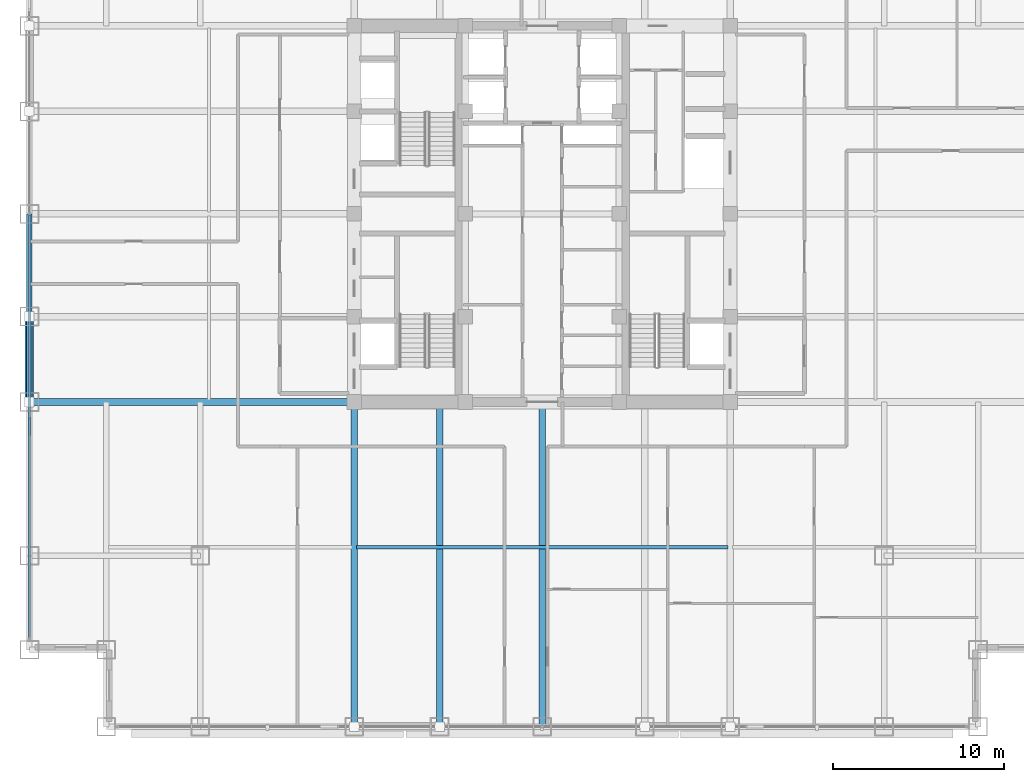
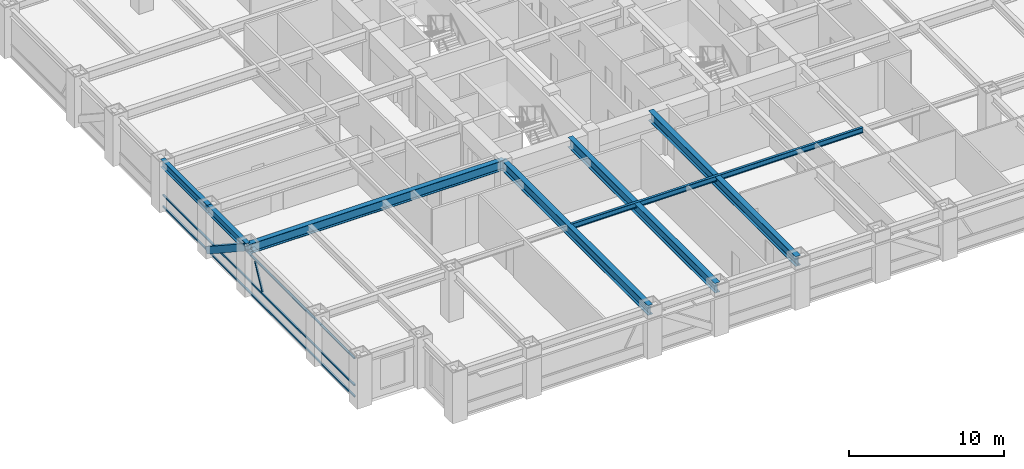
# One storey, part 5 of 28: 7 beams, 5 members, 1 element without a shape of its own.
"""IFC4 building model written with IfcOpenShell, lengths in metres."""

from ifc_helpers import new_model, si_unit, direction, frame, origin, origin_2d, place, context, subcontext, project, spatial, hollow_rectangle, i_section, extrude, source, transform, mapped, material, material_profile, profile_set, type_object, element, aggregate, save


model = new_model("IFC4")

# Units and contexts
model_context = context("Model", 3, precision=1e-05, world=origin(), true_north=direction((0.0, 1.0)))
body_context = subcontext(model_context, "Body", "Model", "MODEL_VIEW")
ifc_project = project(units=[si_unit("LENGTHUNIT", "METRE"), si_unit("AREAUNIT", "SQUARE_METRE"), si_unit("VOLUMEUNIT", "CUBIC_METRE"), si_unit("PLANEANGLEUNIT", "RADIAN"), si_unit("MASSUNIT", "GRAM", prefix="KILO")], contexts=[model_context])

# Site, building, storey
site_placement = place(None, origin())
site = spatial("IfcSite", under=ifc_project, at=site_placement, CompositionType="ELEMENT")
building_placement = place(site_placement, origin())
building = spatial("IfcBuilding", under=site, at=building_placement, Name="Khorayat Bourse Tower", CompositionType="ELEMENT")
storey_placement = place(building_placement, frame((0.0, 0.0, 187.10009765625)))
storey = spatial("IfcBuildingStorey", under=building, at=storey_placement, Name="L43", CompositionType="ELEMENT", Elevation=187.10009765625)

# Beams
ifc_material_1 = material(Name="Steel ASTM A992 Grade 50", Category="steel")
ifc_material_profile_1 = material_profile(ifc_material_1, i_section(OverallWidth=0.381103515625, OverallDepth=0.77294921875, WebThickness=0.0166015625, FlangeThickness=0.027587890625, FilletRadius=0.01806640625, at=origin_2d()), Name="W760X257")
ifc_profile_set_1 = profile_set([ifc_material_profile_1], Name="Steel ASTM A992 Grade 50")
beam_type_1 = type_object("IfcBeamType", Name="BM-GIRD-760", PredefinedType="BEAM", material=ifc_profile_set_1)
shared_shape_1 = source(origin(), body_context, "Body", "SweptSolid", [
    extrude(i_section(OverallWidth=0.381103515625, OverallDepth=0.77294921875, WebThickness=0.0166015625, FlangeThickness=0.027587890625, FilletRadius=0.01806640625, at=origin_2d()), origin(), (0.0, 0.0, 1.0), 19.0),
])
for number, where, z_axis, x_axis, name in (
    (1, (-11.0, -30.0, 3.393310546875), (0.0, 1.0, 0.0), (-1.0, 0.0, 0.0), "L43 BM-GIRD-760 BM-L43-RADY-065"),
    (2, (-6.0, -30.0, 3.393310546875), (0.0, 1.0, 0.0), (-1.0, 0.0, 0.0), "L43 BM-GIRD-760 BM-L43-RADY-067"),
    (3, (0.0, -30.0, 3.393310546875), (0.0, 1.0, 0.0), (-1.0, 0.0, 0.0), "L43 BM-GIRD-760 BM-L43-RADY-069"),
    (4, (-30.0, -11.0, 3.393310546875), (1.0, 0.0, 0.0), (0.0, 1.0, 0.0), "L43 BM-GIRD-760 BM-L43-RADX-075"),
):
    element("IfcBeam", number, at=place(storey_placement, frame(where, z_axis=z_axis, x_axis=x_axis)), inside=storey, type_object=beam_type_1, Name=name, PredefinedType="BEAM", context=body_context, shape_type="MappedRepresentation", body=[
        mapped(shared_shape_1, transform((0.0, 0.0, 0.0), scale=1.0)),
    ])
ifc_material_profile_2 = material_profile(ifc_material_1, i_section(OverallWidth=0.180908203125, OverallDepth=0.4169921875, WebThickness=0.010986328125, FlangeThickness=0.018310546875, FilletRadius=0.011962890625, at=origin_2d()), Name="W410X85")
ifc_profile_set_2 = profile_set([ifc_material_profile_2], Name="Steel ASTM A992 Grade 50")
beam_type_2 = type_object("IfcBeamType", Name="BM-JOIST-410", PredefinedType="JOIST", material=ifc_profile_set_2)
shared_shape_2 = source(origin(), body_context, "Body", "SweptSolid", [
    extrude(i_section(OverallWidth=0.180908203125, OverallDepth=0.4169921875, WebThickness=0.010986328125, FlangeThickness=0.018310546875, FilletRadius=0.011962890625, at=origin_2d()), origin(), (0.0, 0.0, 1.0), 21.740234375),
])
beam_1_placement = place(storey_placement, frame((-10.8701171875, -19.5, 3.5712890625), z_axis=(1.0, 0.0, 0.0), x_axis=(0.0, 1.0, 0.0)))
element("IfcBeam", 5, at=beam_1_placement, inside=storey, type_object=beam_type_2, Name="L43 BM-JOIST-410 BM-L43-JSTX-097", PredefinedType="JOIST", context=body_context, shape_type="MappedRepresentation", body=[
    mapped(shared_shape_2, transform((0.0, 0.0, 0.0), scale=1.0)),
])
ifc_material_profile_3 = material_profile(ifc_material_1, i_section(OverallWidth=0.324951171875, OverallDepth=0.615966796875, WebThickness=0.013916015625, FlangeThickness=0.021484375, FilletRadius=0.01611328125, at=origin_2d()), Name="W610X174")
ifc_profile_set_3 = profile_set([ifc_material_profile_3], Name="Steel ASTM A992 Grade 50")
beam_type_3 = type_object("IfcBeamType", Name="BM-SPAN-610", PredefinedType="SPANDREL", material=ifc_profile_set_3)
shared_shape_3 = source(origin(), body_context, "Body", "SweptSolid", [
    extrude(i_section(OverallWidth=0.324951171875, OverallDepth=0.615966796875, WebThickness=0.013916015625, FlangeThickness=0.021484375, FilletRadius=0.01611328125, at=origin_2d()), origin(), (0.0, 0.0, 1.0), 5.0),
])
beam_2_placement = place(storey_placement, frame((-30.0, -11.0, 3.471923828125), z_axis=(0.0, 1.0, 0.0), x_axis=(-1.0, 0.0, 0.0)))
element("IfcBeam", 6, at=beam_2_placement, inside=storey, type_object=beam_type_3, Name="L43 BM-SPAN-610 BM-L43-SPN-059", PredefinedType="SPANDREL", context=body_context, shape_type="MappedRepresentation", body=[
    mapped(shared_shape_3, transform((0.0, 0.0, 0.0), scale=1.0)),
])
shared_shape_4 = source(origin(), body_context, "Body", "SweptSolid", [
    extrude(i_section(OverallWidth=0.324951171875, OverallDepth=0.615966796875, WebThickness=0.013916015625, FlangeThickness=0.021484375, FilletRadius=0.01611328125, at=origin_2d()), origin(), (0.0, 0.0, 1.0), 6.0),
])
beam_3_placement = place(storey_placement, frame((-30.0, -6.0, 3.471923828125), z_axis=(0.0, 1.0, 0.0), x_axis=(-1.0, 0.0, 0.0)))
element("IfcBeam", 7, at=beam_3_placement, inside=storey, type_object=beam_type_3, Name="L43 BM-SPAN-610 BM-L43-SPN-058", PredefinedType="SPANDREL", context=body_context, shape_type="MappedRepresentation", body=[
    mapped(shared_shape_4, transform((0.0, 0.0, 0.0), scale=1.0)),
])

# Member
ifc_material_2 = material(Name="Steel EN 10025-4 S460M", Category="steel")
ifc_material_profile_4 = material_profile(ifc_material_2, hollow_rectangle(XDim=0.5, YDim=0.5, WallThickness=0.028076171875, at=origin_2d()), Name="HSS 500x500x28")
ifc_profile_set_4 = profile_set([ifc_material_profile_4], Name="Steel EN 10025-4 S460M")
member_type_1 = type_object("IfcMemberType", Name="MBR-TUBE-500", PredefinedType="BRACE", material=ifc_profile_set_4)
shared_shape_5 = source(origin(), body_context, "Body", "SweptSolid", [
    extrude(hollow_rectangle(XDim=0.5, YDim=0.5, WallThickness=0.028076171875, at=origin_2d()), origin(), (0.0, 0.0, 1.0), 5.979736328125),
])
member_1_placement = place(storey_placement, frame((-30.0, -11.0, 3.52978515625), z_axis=(0.0, 0.836160261256, -0.548485202623), x_axis=(-1.0, 0.0, 0.0)))
element("IfcMember", 8, at=member_1_placement, inside=storey, type_object=member_type_1, Name="L43 Perimeter Tube Brace 05", PredefinedType="BRACE", context=body_context, shape_type="MappedRepresentation", body=[
    mapped(shared_shape_5, transform((0.0, 0.0, 0.0), scale=1.0)),
])

# Curtain wall, members
ifc_material_3 = material(Name="Aluminium EN AW-6063 T6", Category="aluminium")
curtain_wall_type = type_object("IfcCurtainWallType", Name="CW-SYS-03", PredefinedType="NOTDEFINED", material=ifc_material_3)
curtain_wall_placement = place(storey_placement, origin())
curtain_wall = element("IfcCurtainWall", 9, at=curtain_wall_placement, inside=storey, type_object=curtain_wall_type, Name="L43 Curtain Wall CW-L43-W1", PredefinedType="NOTDEFINED")
ifc_material_profile_5 = material_profile(ifc_material_3, hollow_rectangle(XDim=0.1201171875, YDim=0.1201171875, WallThickness=0.0048828125, at=origin_2d()), Name="ALU 120x120x5")
ifc_profile_set_5 = profile_set([ifc_material_profile_5], Name="Aluminium EN AW-6063 T6")
member_type_2 = type_object("IfcMemberType", Name="CWM-DIAG-120", PredefinedType="MULLION", material=ifc_profile_set_5)
shared_shape_6 = source(origin(), body_context, "Body", "SweptSolid", [
    extrude(hollow_rectangle(XDim=0.1201171875, YDim=0.1201171875, WallThickness=0.0048828125, at=origin_2d()), origin(), (0.0, 0.0, 1.0), 2.079345703125),
])
member_2_placement = place(storey_placement, frame((-30.0, -12.904296875, 1.08984375), z_axis=(0.0, 0.465760949701, 0.884910581773), x_axis=(-1.0, 0.0, 0.0)))
member_2 = element("IfcMember", 10, at=member_2_placement, type_object=member_type_2, Name="CW-L43-W1 Faceted Diagonal Mullion 1", PredefinedType="MULLION", context=body_context, shape_type="MappedRepresentation", body=[
    mapped(shared_shape_6, transform((0.0, 0.0, 0.0), scale=1.0)),
])
ifc_material_profile_6 = material_profile(ifc_material_3, hollow_rectangle(XDim=0.1201171875, YDim=0.1201171875, WallThickness=0.0048828125, at=origin_2d()), Name="ALU 120x120x5")
ifc_profile_set_6 = profile_set([ifc_material_profile_6], Name="Aluminium EN AW-6063 T6")
member_type_3 = type_object("IfcMemberType", Name="CWT-HORZ-120", PredefinedType="USERDEFINED", material=ifc_profile_set_6)
shared_shape_7 = source(origin(), body_context, "Body", "SweptSolid", [
    extrude(hollow_rectangle(XDim=0.1201171875, YDim=0.1201171875, WallThickness=0.0048828125, at=origin_2d()), origin(), (0.0, 0.0, 1.0), 24.719970703125),
])
member_3_placement = place(storey_placement, frame((-30.0, -24.780029296875, 0.059814453125), z_axis=(0.0, 1.0, 0.0), x_axis=(-1.0, 0.0, 0.0)))
member_3 = element("IfcMember", 11, at=member_3_placement, type_object=member_type_3, Name="CW-L43-W1 Horizontal Transom 1-1", ObjectType="TRANSOM", PredefinedType="USERDEFINED", context=body_context, shape_type="MappedRepresentation", body=[
    mapped(shared_shape_7, transform((0.0, 0.0, 0.0), scale=1.0)),
])
member_4_placement = place(storey_placement, frame((-30.0, -24.780029296875, 0.949951171875), z_axis=(0.0, 1.0, 0.0), x_axis=(-1.0, 0.0, 0.0)))
member_4 = element("IfcMember", 12, at=member_4_placement, type_object=member_type_3, Name="CW-L43-W1 Horizontal Transom 1-2", ObjectType="TRANSOM", PredefinedType="USERDEFINED", context=body_context, shape_type="MappedRepresentation", body=[
    mapped(shared_shape_7, transform((0.0, 0.0, 0.0), scale=1.0)),
])
member_5_placement = place(storey_placement, frame((-30.0, -24.780029296875, 3.06982421875), z_axis=(0.0, 1.0, 0.0), x_axis=(-1.0, 0.0, 0.0)))
member_5 = element("IfcMember", 13, at=member_5_placement, type_object=member_type_3, Name="CW-L43-W1 Horizontal Transom 1-3", ObjectType="TRANSOM", PredefinedType="USERDEFINED", context=body_context, shape_type="MappedRepresentation", body=[
    mapped(shared_shape_7, transform((0.0, 0.0, 0.0), scale=1.0)),
])
aggregate(curtain_wall, [member_3, member_4, member_5, member_2])

save(model, "model.ifc")
